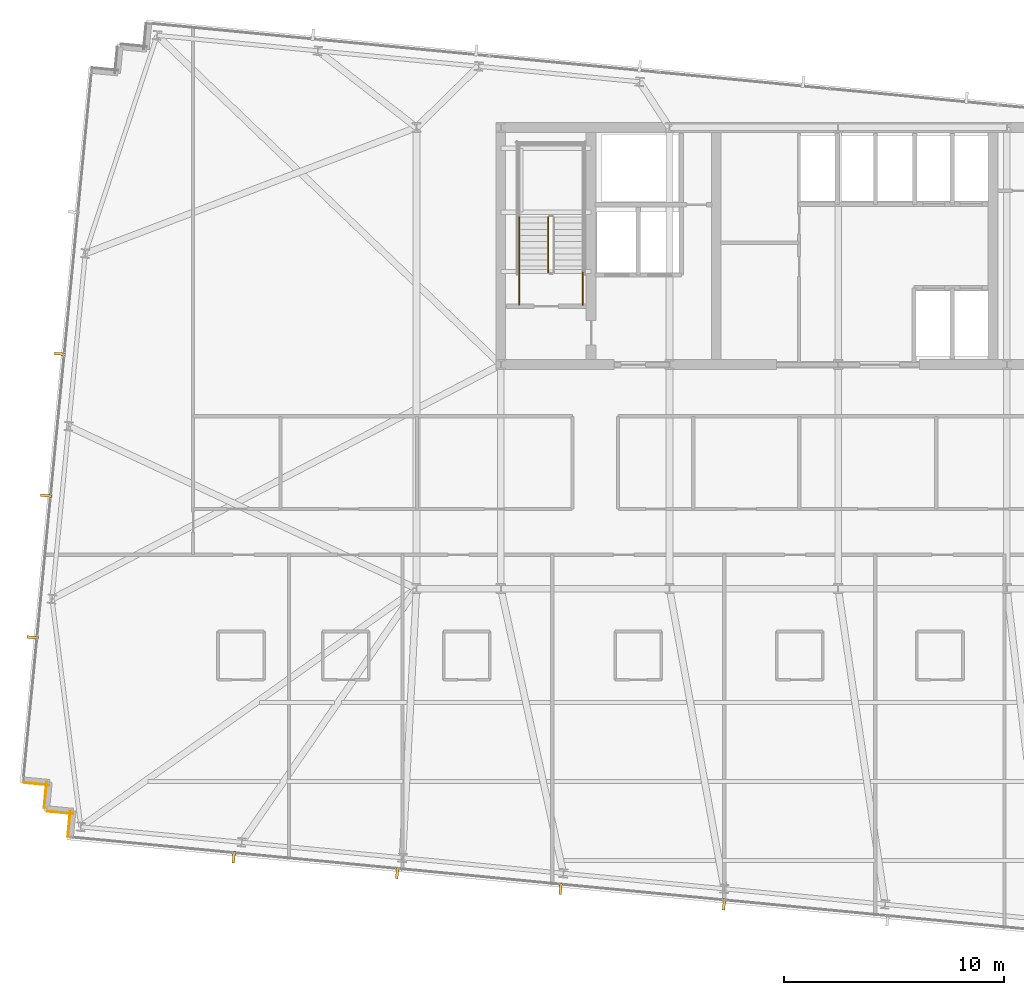
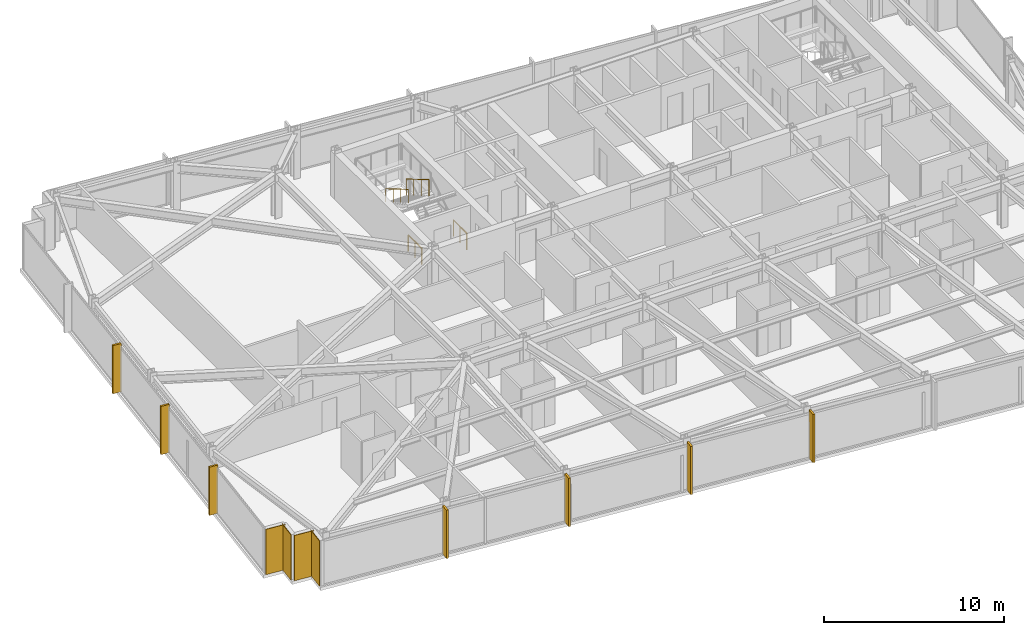
# One storey, part 33 of 37: 7 shading devices, 4 coverings, 4 railings.
"""IFC4 building model written with IfcOpenShell, lengths in metres."""

from ifc_helpers import new_model, si_unit, direction, frame, frame_2d, origin, origin_2d, place, context, subcontext, project, spatial, rectangle, circle, extrude, material, layer, layer_set, type_object, element, save


model = new_model("IFC4")

# Units and contexts
model_context = context("Model", 3, precision=1e-05, world=origin(), true_north=direction((0.0, 1.0)))
body_context = subcontext(model_context, "Body", "Model", "MODEL_VIEW")
ifc_project = project(units=[si_unit("LENGTHUNIT", "METRE"), si_unit("AREAUNIT", "SQUARE_METRE"), si_unit("VOLUMEUNIT", "CUBIC_METRE"), si_unit("PLANEANGLEUNIT", "RADIAN"), si_unit("MASSUNIT", "GRAM", prefix="KILO")], contexts=[model_context])

# Site, building, storey
site_placement = place(None, origin())
site = spatial("IfcSite", under=ifc_project, at=site_placement, CompositionType="ELEMENT")
building_placement = place(site_placement, origin())
building = spatial("IfcBuilding", under=site, at=building_placement, Name="Yelkora Congress Tower", CompositionType="ELEMENT")
storey_placement = place(building_placement, frame((0.0, 0.0, 175.39990234375)))
storey = spatial("IfcBuildingStorey", under=building, at=storey_placement, Name="L48", CompositionType="ELEMENT", Elevation=175.39990234375)

# Coverings
ifc_material_1 = material(Name="Anatolian bush-hammered limestone", Category="masonry")
ifc_layer_1 = layer(ifc_material_1, 0.0400390625)
ifc_layer_set_1 = layer_set([ifc_layer_1], Name="Anatolian bush-hammered limestone")
covering_type = type_object("IfcCoveringType", Name="COV-CLAD-SPANDREL-40", PredefinedType="CLADDING", material=ifc_layer_set_1)
covering_1_placement = place(storey_placement, frame((3.327880859375, 13.90185546875, 0.0), z_axis=(0.0, 0.0, 1.0), x_axis=(0.095817067274, 0.995398960025, 0.0)))
element("IfcCovering", 1, at=covering_1_placement, inside=storey, type_object=covering_type, Name="L48 Anatolian Limestone Cladding EW-L48-SR01", PredefinedType="CLADDING", context=body_context, shape_type="SweptSolid", body=[
    extrude(rectangle(XDim=1.2001953125, YDim=0.0400390625, at=frame_2d((0.60009765625, 0.0))), origin(), (0.0, 0.0, 1.0), 3.080078125),
])
covering_2_placement = place(storey_placement, frame((3.564208984375, 14.94921875, 0.0), z_axis=(0.0, 0.0, 1.0), x_axis=(-0.995397091755, 0.095836473879, 0.0)))
element("IfcCovering", 2, at=covering_2_placement, inside=storey, type_object=covering_type, Name="L48 Anatolian Limestone Cladding EW-L48-SR02", PredefinedType="CLADDING", context=body_context, shape_type="SweptSolid", body=[
    extrude(rectangle(XDim=1.199951171875, YDim=0.0400390625, at=frame_2d((0.60009765625, 0.0))), origin(), (0.0, 0.0, 1.0), 3.080078125),
])
for number, where, z_axis, x_axis, name in (
    (3, (2.248291015625, 15.21142578125, 0.0), (0.0, 0.0, 1.0), (0.095817067274, 0.995398960025, 0.0), "L48 Anatolian Limestone Cladding EW-L48-SR03"),
    (4, (2.48486328125, 16.258544921875, 0.0), (0.0, 0.0, 1.0), (-0.995398960025, 0.095817067274, 0.0), "L48 Anatolian Limestone Cladding EW-L48-SR04"),
):
    element("IfcCovering", number, at=place(storey_placement, frame(where, z_axis=z_axis, x_axis=x_axis)), inside=storey, type_object=covering_type, Name=name, PredefinedType="CLADDING", context=body_context, shape_type="SweptSolid", body=[
        extrude(rectangle(XDim=1.2001953125, YDim=0.0400390625, at=frame_2d((0.60009765625, 0.0))), origin(), (0.0, 0.0, 1.0), 3.080078125),
    ])

# Railings
ifc_material_2 = material(Name="Painted galvanised steel stair well guard with vertical infill", Category="steel")
ifc_layer_2 = layer(ifc_material_2, 0.06005859375)
ifc_layer_set_2 = layer_set([ifc_layer_2], Name="Painted galvanised steel stair well guard with vertical infill")
railing_type_1 = type_object("IfcRailingType", Name="RAIL-STAIR-GUARD-1120", PredefinedType="GUARDRAIL", material=ifc_layer_set_2)
railing_1_placement = place(storey_placement, frame((25.18994140625, 42.1201171875, 1.815185546875)))
element("IfcRailing", 5, at=railing_1_placement, inside=storey, type_object=railing_type_1, Name="ST-01 L48 Stair Well Guardrail 6", PredefinedType="GUARDRAIL", context=body_context, shape_type="SweptSolid", body=[
    extrude(circle(Radius=0.02392578125, at=origin_2d()), frame((0.0, 0.0, 1.09619140625), z_axis=(0.0, -0.861560626758, 0.507654692109), x_axis=(1.0, 0.0, 0.0)), (0.0, 0.0, 1.0), 2.925048828125),
    extrude(circle(Radius=0.02099609375, at=origin_2d()), origin(), (0.0, 0.0, 1.0), 1.072021484375),
    extrude(circle(Radius=0.02099609375, at=origin_2d()), frame((0.0, -0.840087890625, 0.494873046875)), (0.0, 0.0, 1.0), 1.072021484375),
    extrude(circle(Radius=0.02099609375, at=origin_2d()), frame((0.0, -1.679931640625, 0.989990234375)), (0.0, 0.0, 1.0), 1.072021484375),
    extrude(circle(Radius=0.02099609375, at=origin_2d()), frame((0.0, -2.52001953125, 1.48486328125)), (0.0, 0.0, 1.0), 1.072021484375),
])
for number, where, name in (
    (6, (26.77001953125, 38.1201171875, 0.0), "ST-01 L48 Stair Well Guardrail 8"),
    (7, (23.8701171875, 38.1201171875, 0.0), "ST-01 L48 Stair Well Guardrail 9"),
):
    element("IfcRailing", number, at=place(storey_placement, frame(where)), inside=storey, type_object=railing_type_1, Name=name, PredefinedType="GUARDRAIL", context=body_context, shape_type="SweptSolid", body=[
        extrude(circle(Radius=0.02392578125, at=origin_2d()), frame((0.0, 0.0, 1.09619140625), z_axis=(0.0, 1.0, 0.0), x_axis=(-1.0, 0.0, 0.0)), (0.0, 0.0, 1.0), 1.47998046875),
        extrude(circle(Radius=0.02099609375, at=origin_2d()), origin(), (0.0, 0.0, 1.0), 1.072021484375),
        extrude(circle(Radius=0.02099609375, at=origin_2d()), frame((0.0, 0.739990234375, 0.0)), (0.0, 0.0, 1.0), 1.072021484375),
        extrude(circle(Radius=0.02099609375, at=origin_2d()), frame((0.0, 1.47998046875, 0.0)), (0.0, 0.0, 1.0), 1.072021484375),
    ])
ifc_material_3 = material(Name="Brushed stainless steel tubular handrail", Category="steel")
ifc_layer_3 = layer(ifc_material_3, 0.050048828125)
ifc_layer_set_3 = layer_set([ifc_layer_3], Name="Brushed stainless steel tubular handrail")
railing_type_2 = type_object("IfcRailingType", Name="RAIL-STAIR-HAND-920", PredefinedType="HANDRAIL", material=ifc_layer_set_3)
railing_2_placement = place(storey_placement, frame((23.8701171875, 42.1201171875, 1.815185546875)))
element("IfcRailing", 8, at=railing_2_placement, inside=storey, type_object=railing_type_2, Name="ST-01 L48 Pitch Handrail 2", PredefinedType="HANDRAIL", context=body_context, shape_type="SweptSolid", body=[
    extrude(circle(Radius=0.02392578125, at=origin_2d()), frame((0.0, 0.0, 0.89599609375), z_axis=(0.0, -0.861560626758, 0.507654692109), x_axis=(1.0, 0.0, 0.0)), (0.0, 0.0, 1.0), 2.925048828125),
    extrude(circle(Radius=0.02099609375, at=origin_2d()), origin(), (0.0, 0.0, 1.0), 0.871826171875),
    extrude(circle(Radius=0.02099609375, at=origin_2d()), frame((0.0, -0.840087890625, 0.494873046875)), (0.0, 0.0, 1.0), 0.871826171875),
    extrude(circle(Radius=0.02099609375, at=origin_2d()), frame((0.0, -1.679931640625, 0.989990234375)), (0.0, 0.0, 1.0), 0.871826171875),
    extrude(circle(Radius=0.02099609375, at=origin_2d()), frame((0.0, -2.52001953125, 1.48486328125)), (0.0, 0.0, 1.0), 0.871826171875),
])

# Shading devices
ifc_material_4 = material(Name="Champagne anodised aluminium", Category="aluminium")
ifc_layer_4 = layer(ifc_material_4, 3.300048828125)
ifc_layer_set_4 = layer_set([ifc_layer_4], Name="Champagne anodised aluminium")
shading_device_type = type_object("IfcShadingDeviceType", Name="SHD-FIN-ALU-520", PredefinedType="USERDEFINED", material=ifc_layer_set_4)
for number, where, z_axis, x_axis, name in (
    (9, (1.7255859375, 22.981201171875, -0.02978515625), (0.0, 0.0, 1.0), (0.09584575252, 0.995396198367, 0.0), "L48 Vertical Anodised Solar Fin 5-1"),
    (10, (2.34716796875, 29.435302734375, -0.02978515625), (0.0, 0.0, 1.0), (0.09584575252, 0.995396198367, 0.0), "L48 Vertical Anodised Solar Fin 5-2"),
    (11, (2.968505859375, 35.889404296875, -0.02978515625), (0.0, 0.0, 1.0), (0.09584575252, 0.995396198367, 0.0), "L48 Vertical Anodised Solar Fin 5-3"),
    (12, (33.202392578125, 10.82421875, -0.02978515625), (0.0, 0.0, 1.0), (-0.995396198367, 0.09584575252, 0.0), "L48 Vertical Anodised Solar Fin 20-3"),
    (13, (25.7626953125, 11.540771484375, -0.02978515625), (0.0, 0.0, 1.0), (-0.995396198367, 0.09584575252, 0.0), "L48 Vertical Anodised Solar Fin 20-4"),
    (14, (18.32275390625, 12.257080078125, -0.02978515625), (0.0, 0.0, 1.0), (-0.995396198367, 0.09584575252, 0.0), "L48 Vertical Anodised Solar Fin 20-5"),
    (15, (10.8828125, 12.973388671875, -0.02978515625), (0.0, 0.0, 1.0), (-0.995396198367, 0.09584575252, 0.0), "L48 Vertical Anodised Solar Fin 20-6"),
):
    element("IfcShadingDevice", number, at=place(storey_placement, frame(where, z_axis=z_axis, x_axis=x_axis)), inside=storey, type_object=shading_device_type, Name=name, ObjectType="FIN", PredefinedType="USERDEFINED", context=body_context, shape_type="SweptSolid", body=[
        extrude(rectangle(XDim=0.1201171875, YDim=0.52001953125, at=origin_2d()), origin(), (0.0, 0.0, 1.0), 3.280029296875),
    ])

save(model, "model.ifc")
